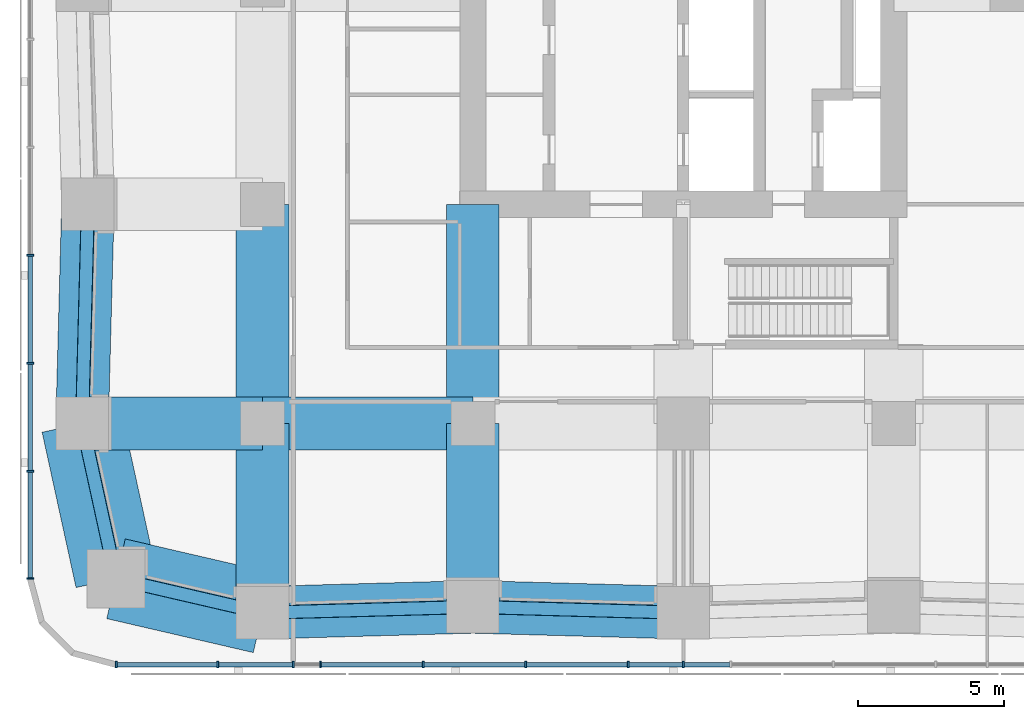
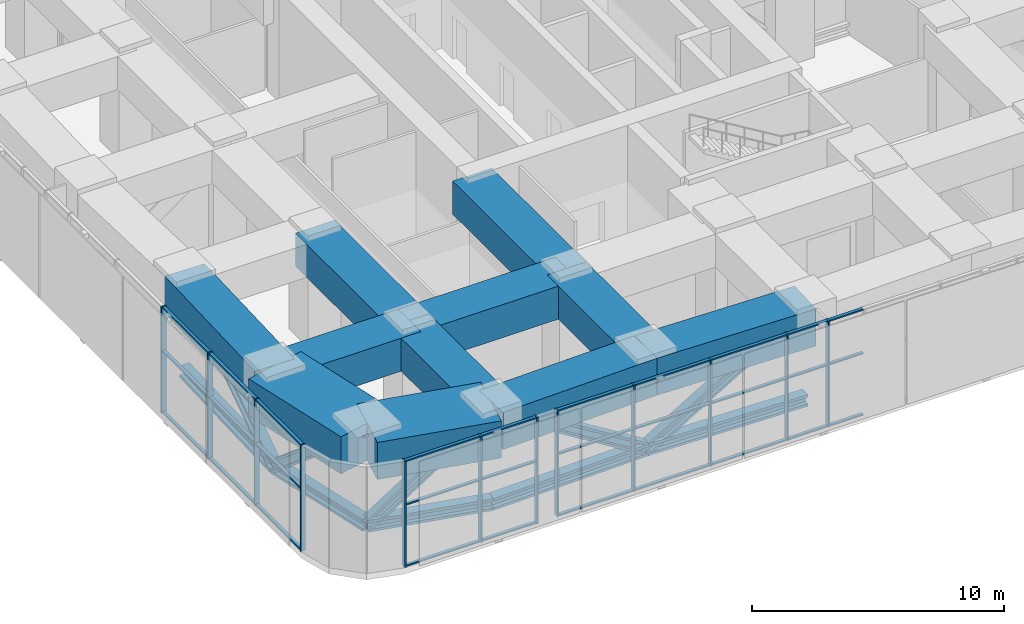
# One storey, part 2 of 17: 52 members, 11 beams, 2 elements without a shape of their own.
"""IFC4 building model written with IfcOpenShell, lengths in metres."""

from ifc_helpers import new_model, si_unit, direction, frame, origin, origin_2d, place, context, subcontext, project, spatial, rectangle, i_section, extrude, material, material_profile, profile_set, type_object, element, aggregate, save


model = new_model("IFC4")

# Units and contexts
model_context = context("Model", 3, precision=1e-05, world=origin(), true_north=direction((0.0, 1.0)))
body_context = subcontext(model_context, "Body", "Model", "MODEL_VIEW")
ifc_project = project(units=[si_unit("LENGTHUNIT", "METRE"), si_unit("AREAUNIT", "SQUARE_METRE"), si_unit("VOLUMEUNIT", "CUBIC_METRE"), si_unit("PLANEANGLEUNIT", "RADIAN"), si_unit("MASSUNIT", "GRAM", prefix="KILO")], contexts=[model_context])

# Site, building, storey
site_placement = place(None, origin())
site = spatial("IfcSite", under=ifc_project, at=site_placement, CompositionType="ELEMENT")
building_placement = place(site_placement, origin())
building = spatial("IfcBuilding", under=site, at=building_placement, Name="Sheger Commons Tower", CompositionType="ELEMENT")
storey_placement = place(building_placement, frame((0.0, 0.0, 188.300048828125)))
storey = spatial("IfcBuildingStorey", under=building, at=storey_placement, Name="L48", CompositionType="ELEMENT", Elevation=188.300048828125)

# Beams
ifc_material_1 = material(Name="Concrete C50/60", Category="concrete")
ifc_material_profile_1 = material_profile(ifc_material_1, rectangle(XDim=1.800048828125, YDim=1.60009765625, at=origin_2d()), Name="RC 1800x1600")
ifc_profile_set_1 = profile_set([ifc_material_profile_1], Name="Concrete C50/60")
beam_type_1 = type_object("IfcBeamType", Name="BEAM RC 1800x1600", PredefinedType="BEAM", material=ifc_profile_set_1)
beam_1_placement = place(storey_placement, frame((1.02490234375, 7.5, 4.349853515625), z_axis=(1.0, 0.0, 0.0), x_axis=(0.0, 1.0, 0.0)))
element("IfcBeam", 1, at=beam_1_placement, inside=storey, type_object=beam_type_1, Name="Beam 1/B-2/B under L49", PredefinedType="BEAM", context=body_context, shape_type="SweptSolid", body=[
    extrude(rectangle(XDim=1.800048828125, YDim=1.60009765625, at=origin_2d()), origin(), (0.0, 0.0, 1.0), 6.175048828125),
])
beam_2_placement = place(storey_placement, frame((7.199951171875, 7.5, 4.349853515625), z_axis=(1.0, 0.0, 0.0), x_axis=(0.0, 1.0, 0.0)))
element("IfcBeam", 2, at=beam_2_placement, inside=storey, type_object=beam_type_1, Name="Beam 2/B-3/B under L49", PredefinedType="BEAM", context=body_context, shape_type="SweptSolid", body=[
    extrude(rectangle(XDim=1.800048828125, YDim=1.60009765625, at=origin_2d()), origin(), (0.0, 0.0, 1.0), 7.199951171875),
])
beam_3_placement = place(storey_placement, frame((7.199951171875, 1.02490234375, 4.349853515625), z_axis=(0.0, 1.0, 0.0), x_axis=(-1.0, 0.0, 0.0)))
element("IfcBeam", 3, at=beam_3_placement, inside=storey, type_object=beam_type_1, Name="Beam 2/A-2/B under L49", PredefinedType="BEAM", context=body_context, shape_type="SweptSolid", body=[
    extrude(rectangle(XDim=1.800048828125, YDim=1.60009765625, at=origin_2d()), origin(), (0.0, 0.0, 1.0), 6.47509765625),
])
beam_4_placement = place(storey_placement, frame((7.199951171875, 7.5, 4.349853515625), z_axis=(0.0, 1.0, 0.0), x_axis=(-1.0, 0.0, 0.0)))
element("IfcBeam", 4, at=beam_4_placement, inside=storey, type_object=beam_type_1, Name="Beam 2/B-2/C under L49", PredefinedType="BEAM", context=body_context, shape_type="SweptSolid", body=[
    extrude(rectangle(XDim=1.800048828125, YDim=1.60009765625, at=origin_2d()), origin(), (0.0, 0.0, 1.0), 7.5),
])
beam_5_placement = place(storey_placement, frame((14.39990234375, 1.22509765625, 4.349853515625), z_axis=(0.0, 1.0, 0.0), x_axis=(-1.0, 0.0, 0.0)))
element("IfcBeam", 5, at=beam_5_placement, inside=storey, type_object=beam_type_1, Name="Beam 3/A-3/B under L49", PredefinedType="BEAM", context=body_context, shape_type="SweptSolid", body=[
    extrude(rectangle(XDim=1.800048828125, YDim=1.60009765625, at=origin_2d()), origin(), (0.0, 0.0, 1.0), 6.27490234375),
])
beam_6_placement = place(storey_placement, frame((14.39990234375, 7.5, 4.349853515625), z_axis=(0.0, 1.0, 0.0), x_axis=(-1.0, 0.0, 0.0)))
element("IfcBeam", 6, at=beam_6_placement, inside=storey, type_object=beam_type_1, Name="Beam 3/B-3/C under L49", PredefinedType="BEAM", context=body_context, shape_type="SweptSolid", body=[
    extrude(rectangle(XDim=1.800048828125, YDim=1.60009765625, at=origin_2d()), origin(), (0.0, 0.0, 1.0), 7.5),
])

# Members
ifc_material_2 = material(Name="Steel S460", Category="steel")
ifc_material_profile_2 = material_profile(ifc_material_2, i_section(OverallWidth=0.44189453125, OverallDepth=0.531005859375, WebThickness=0.06591796875, FlangeThickness=0.10595703125, at=origin_2d()), Name="HD 400x900")
ifc_profile_set_2 = profile_set([ifc_material_profile_2], Name="Steel S460")
member_type_1 = type_object("IfcMemberType", Name="BRACE HD 400x900", PredefinedType="BRACE", material=ifc_profile_set_2)
member_1_placement = place(storey_placement, frame((2.18603515625, 2.18603515625, 0.300048828125), z_axis=(0.729894115003, -0.169030355502, 0.662331729425), x_axis=(0.225611239159, 0.974217413499, 0.0)))
element("IfcMember", 7, at=member_1_placement, inside=storey, type_object=member_type_1, Name="Belt truss diagonal 2.186,2.186-7.200,1.025", PredefinedType="BRACE", context=body_context, shape_type="SweptSolid", body=[
    extrude(i_section(OverallWidth=0.44189453125, OverallDepth=0.531005859375, WebThickness=0.06591796875, FlangeThickness=0.10595703125, at=origin_2d()), origin(), (0.0, 0.0, 1.0), 6.869384765625),
])
member_2_placement = place(storey_placement, frame((14.39990234375, 1.22509765625, 0.300048828125), z_axis=(-0.84512466508, -0.023498769976, 0.534052533262), x_axis=(0.027794350926, -0.9996136624, 0.0)))
element("IfcMember", 8, at=member_2_placement, inside=storey, type_object=member_type_1, Name="Belt truss diagonal 7.200,1.025-14.400,1.225", PredefinedType="BRACE", context=body_context, shape_type="SweptSolid", body=[
    extrude(i_section(OverallWidth=0.44189453125, OverallDepth=0.531005859375, WebThickness=0.06591796875, FlangeThickness=0.10595703125, at=origin_2d()), origin(), (0.0, 0.0, 1.0), 8.519287109375),
])
member_3_placement = place(storey_placement, frame((14.39990234375, 1.22509765625, 0.300048828125), z_axis=(0.84513285394, -0.023498200876, 0.534039599418), x_axis=(0.027793409217, 0.999613688584, 0.0)))
element("IfcMember", 9, at=member_3_placement, inside=storey, type_object=member_type_1, Name="Belt truss diagonal 14.400,1.225-21.600,1.025", PredefinedType="BRACE", context=body_context, shape_type="SweptSolid", body=[
    extrude(i_section(OverallWidth=0.44189453125, OverallDepth=0.531005859375, WebThickness=0.06591796875, FlangeThickness=0.10595703125, at=origin_2d()), origin(), (0.0, 0.0, 1.0), 8.51953125),
])
member_4_placement = place(storey_placement, frame((1.02490234375, 7.5, 0.300048828125), z_axis=(0.022815736149, 0.854755383521, 0.518529340081), x_axis=(-0.999643939919, 0.026683204125, 0.0)))
element("IfcMember", 10, at=member_4_placement, inside=storey, type_object=member_type_1, Name="Belt truss diagonal 1+1225/C-1+1025/B", PredefinedType="BRACE", context=body_context, shape_type="SweptSolid", body=[
    extrude(i_section(OverallWidth=0.44189453125, OverallDepth=0.531005859375, WebThickness=0.06591796875, FlangeThickness=0.10595703125, at=origin_2d()), origin(), (0.0, 0.0, 1.0), 8.7744140625),
])
member_5_placement = place(storey_placement, frame((1.02490234375, 7.5, 0.300048828125), z_axis=(0.16373943252, -0.74935922797, 0.641599677131), x_axis=(0.976949769283, 0.213469314652, 0.0)))
element("IfcMember", 11, at=member_5_placement, inside=storey, type_object=member_type_1, Name="Belt truss diagonal 1+1025/B-2.186,2.186", PredefinedType="BRACE", context=body_context, shape_type="SweptSolid", body=[
    extrude(i_section(OverallWidth=0.44189453125, OverallDepth=0.531005859375, WebThickness=0.06591796875, FlangeThickness=0.10595703125, at=origin_2d()), origin(), (0.0, 0.0, 1.0), 7.09130859375),
])
ifc_material_3 = material(Name="Steel S460", Category="steel")
ifc_material_profile_3 = material_profile(ifc_material_3, i_section(OverallWidth=0.4541015625, OverallDepth=0.569091796875, WebThickness=0.077880859375, FlangeThickness=0.125, at=origin_2d()), Name="HD 400x1086")
ifc_profile_set_3 = profile_set([ifc_material_profile_3], Name="Steel S460")
member_type_2 = type_object("IfcMemberType", Name="CHORD HD 400x1086", PredefinedType="CHORD", material=ifc_profile_set_3)
member_6_placement = place(storey_placement, frame((2.18603515625, 2.18603515625, 0.300048828125), z_axis=(0.974217413499, -0.225611239159, 0.0), x_axis=(0.225611239159, 0.974217413499, 0.0)))
element("IfcMember", 12, at=member_6_placement, inside=storey, type_object=member_type_2, Name="Belt truss bottom chord 2.186,2.186-7.200,1.025", PredefinedType="CHORD", context=body_context, shape_type="SweptSolid", body=[
    extrude(i_section(OverallWidth=0.4541015625, OverallDepth=0.569091796875, WebThickness=0.077880859375, FlangeThickness=0.125, at=origin_2d()), origin(), (0.0, 0.0, 1.0), 5.146728515625),
])
member_7_placement = place(storey_placement, frame((7.199951171875, 1.02490234375, 0.300048828125), z_axis=(0.9996136624, 0.027794350926, 0.0), x_axis=(-0.027794350926, 0.9996136624, 0.0)))
element("IfcMember", 13, at=member_7_placement, inside=storey, type_object=member_type_2, Name="Belt truss bottom chord 7.200,1.025-14.400,1.225", PredefinedType="CHORD", context=body_context, shape_type="SweptSolid", body=[
    extrude(i_section(OverallWidth=0.4541015625, OverallDepth=0.569091796875, WebThickness=0.077880859375, FlangeThickness=0.125, at=origin_2d()), origin(), (0.0, 0.0, 1.0), 7.20263671875),
])
member_8_placement = place(storey_placement, frame((14.39990234375, 1.22509765625, 0.300048828125), z_axis=(0.999613688584, -0.027793409217, 0.0), x_axis=(0.027793409217, 0.999613688584, 0.0)))
element("IfcMember", 14, at=member_8_placement, inside=storey, type_object=member_type_2, Name="Belt truss bottom chord 14.400,1.225-21.600,1.025", PredefinedType="CHORD", context=body_context, shape_type="SweptSolid", body=[
    extrude(i_section(OverallWidth=0.4541015625, OverallDepth=0.569091796875, WebThickness=0.077880859375, FlangeThickness=0.125, at=origin_2d()), origin(), (0.0, 0.0, 1.0), 7.202880859375),
])
member_9_placement = place(storey_placement, frame((1.22509765625, 15.0, 0.300048828125), z_axis=(-0.026683204125, -0.999643939919, 0.0), x_axis=(0.999643939919, -0.026683204125, 0.0)))
element("IfcMember", 15, at=member_9_placement, inside=storey, type_object=member_type_2, Name="Belt truss bottom chord 1+1225/C-1+1025/B", PredefinedType="CHORD", context=body_context, shape_type="SweptSolid", body=[
    extrude(i_section(OverallWidth=0.4541015625, OverallDepth=0.569091796875, WebThickness=0.077880859375, FlangeThickness=0.125, at=origin_2d()), origin(), (0.0, 0.0, 1.0), 7.502685546875),
])
member_10_placement = place(storey_placement, frame((1.02490234375, 7.5, 0.300048828125), z_axis=(0.213469314652, -0.976949769283, 0.0), x_axis=(0.976949769283, 0.213469314652, 0.0)))
element("IfcMember", 16, at=member_10_placement, inside=storey, type_object=member_type_2, Name="Belt truss bottom chord 1+1025/B-2.186,2.186", PredefinedType="CHORD", context=body_context, shape_type="SweptSolid", body=[
    extrude(i_section(OverallWidth=0.4541015625, OverallDepth=0.569091796875, WebThickness=0.077880859375, FlangeThickness=0.125, at=origin_2d()), origin(), (0.0, 0.0, 1.0), 5.439453125),
])

# Curtain wall, members
ifc_material_4 = material(Name="Black aluminium curtain wall, dark tinted glazing", Category="aluminium")
curtain_wall_type = type_object("IfcCurtainWallType", Name="CURTAIN WALL CW3 SKY FLOOR", PredefinedType="USERDEFINED", material=ifc_material_4)
curtain_wall_1_placement = place(storey_placement, origin())
curtain_wall_1 = element("IfcCurtainWall", 17, at=curtain_wall_1_placement, inside=storey, type_object=curtain_wall_type, Name="Curtain Wall Cw3 Sky Floor S1 L48", ObjectType="UNITISED CURTAIN WALL", PredefinedType="USERDEFINED")
ifc_material_5 = material(Name="Black anodised aluminium", Category="aluminium")
ifc_material_profile_4 = material_profile(ifc_material_5, rectangle(XDim=0.22509765625, YDim=0.06494140625, at=origin_2d()), Name="AL 65x225")
ifc_profile_set_4 = profile_set([ifc_material_profile_4], Name="Black anodised aluminium")
member_type_3 = type_object("IfcMemberType", Name="MULLION AL 65x225", PredefinedType="MULLION", material=ifc_profile_set_4)
member_11_placement = place(storey_placement, frame((2.195556640625, -0.75, 0.0), z_axis=(0.0, 0.0, 1.0), x_axis=(0.0, 1.0, 0.0)))
member_11 = element("IfcMember", 18, at=member_11_placement, type_object=member_type_3, Name="CW3 mullion 1", PredefinedType="MULLION", context=body_context, shape_type="SweptSolid", body=[
    extrude(rectangle(XDim=0.22509765625, YDim=0.06494140625, at=origin_2d()), origin(), (0.0, 0.0, 1.0), 5.14990234375),
])
member_12_placement = place(storey_placement, frame((5.673095703125, -0.75, 0.0), z_axis=(0.0, 0.0, 1.0), x_axis=(0.0, 1.0, 0.0)))
member_12 = element("IfcMember", 19, at=member_12_placement, type_object=member_type_3, Name="CW3 mullion 2", PredefinedType="MULLION", context=body_context, shape_type="SweptSolid", body=[
    extrude(rectangle(XDim=0.22509765625, YDim=0.06494140625, at=origin_2d()), origin(), (0.0, 0.0, 1.0), 5.14990234375),
])
member_13_placement = place(storey_placement, frame((8.25, -0.75, 0.0), z_axis=(0.0, 0.0, 1.0), x_axis=(0.0, 1.0, 0.0)))
member_13 = element("IfcMember", 20, at=member_13_placement, type_object=member_type_3, Name="CW3 mullion 3", PredefinedType="MULLION", context=body_context, shape_type="SweptSolid", body=[
    extrude(rectangle(XDim=0.22509765625, YDim=0.06494140625, at=origin_2d()), origin(), (0.0, 0.0, 1.0), 5.14990234375),
])
member_14_placement = place(storey_placement, frame((9.18310546875, -0.75, 0.0), z_axis=(0.0, 0.0, 1.0), x_axis=(0.0, 1.0, 0.0)))
member_14 = element("IfcMember", 21, at=member_14_placement, type_object=member_type_3, Name="CW3 mullion 4", PredefinedType="MULLION", context=body_context, shape_type="SweptSolid", body=[
    extrude(rectangle(XDim=0.22509765625, YDim=0.06494140625, at=origin_2d()), origin(), (0.0, 0.0, 1.0), 5.14990234375),
])
member_15_placement = place(storey_placement, frame((12.693115234375, -0.75, 0.0), z_axis=(0.0, 0.0, 1.0), x_axis=(0.0, 1.0, 0.0)))
member_15 = element("IfcMember", 22, at=member_15_placement, type_object=member_type_3, Name="CW3 mullion 5", PredefinedType="MULLION", context=body_context, shape_type="SweptSolid", body=[
    extrude(rectangle(XDim=0.22509765625, YDim=0.06494140625, at=origin_2d()), origin(), (0.0, 0.0, 1.0), 5.14990234375),
])
member_16_placement = place(storey_placement, frame((16.201904296875, -0.75, 0.0), z_axis=(0.0, 0.0, 1.0), x_axis=(0.0, 1.0, 0.0)))
member_16 = element("IfcMember", 23, at=member_16_placement, type_object=member_type_3, Name="CW3 mullion 6", PredefinedType="MULLION", context=body_context, shape_type="SweptSolid", body=[
    extrude(rectangle(XDim=0.22509765625, YDim=0.06494140625, at=origin_2d()), origin(), (0.0, 0.0, 1.0), 5.14990234375),
])
member_17_placement = place(storey_placement, frame((19.7119140625, -0.75, 0.0), z_axis=(0.0, 0.0, 1.0), x_axis=(0.0, 1.0, 0.0)))
member_17 = element("IfcMember", 24, at=member_17_placement, type_object=member_type_3, Name="CW3 mullion 7", PredefinedType="MULLION", context=body_context, shape_type="SweptSolid", body=[
    extrude(rectangle(XDim=0.22509765625, YDim=0.06494140625, at=origin_2d()), origin(), (0.0, 0.0, 1.0), 5.14990234375),
])
member_18_placement = place(storey_placement, frame((21.60009765625, -0.75, 0.0), z_axis=(0.0, 0.0, 1.0), x_axis=(0.0, 1.0, 0.0)))
member_18 = element("IfcMember", 25, at=member_18_placement, type_object=member_type_3, Name="CW3 mullion 8", PredefinedType="MULLION", context=body_context, shape_type="SweptSolid", body=[
    extrude(rectangle(XDim=0.22509765625, YDim=0.06494140625, at=origin_2d()), origin(), (0.0, 0.0, 1.0), 5.14990234375),
])

curtain_wall_2_placement = place(storey_placement, origin())
curtain_wall_2 = element("IfcCurtainWall", 26, at=curtain_wall_2_placement, inside=storey, type_object=curtain_wall_type, Name="Curtain Wall Cw3 Sky Floor W1 L48", ObjectType="UNITISED CURTAIN WALL", PredefinedType="USERDEFINED")
member_19_placement = place(storey_placement, frame((-0.75, 13.256103515625, 0.0), z_axis=(0.0, 0.0, 1.0), x_axis=(1.0, 0.0, 0.0)))
member_19 = element("IfcMember", 27, at=member_19_placement, type_object=member_type_3, Name="CW3 mullion 10", PredefinedType="MULLION", context=body_context, shape_type="SweptSolid", body=[
    extrude(rectangle(XDim=0.22509765625, YDim=0.06494140625, at=origin_2d()), origin(), (0.0, 0.0, 1.0), 5.14990234375),
])
member_20_placement = place(storey_placement, frame((-0.75, 9.55810546875, 0.0), z_axis=(0.0, 0.0, 1.0), x_axis=(1.0, 0.0, 0.0)))
member_20 = element("IfcMember", 28, at=member_20_placement, type_object=member_type_3, Name="CW3 mullion 11", PredefinedType="MULLION", context=body_context, shape_type="SweptSolid", body=[
    extrude(rectangle(XDim=0.22509765625, YDim=0.06494140625, at=origin_2d()), origin(), (0.0, 0.0, 1.0), 5.14990234375),
])
member_21_placement = place(storey_placement, frame((-0.75, 5.861083984375, 0.0), z_axis=(0.0, 0.0, 1.0), x_axis=(1.0, 0.0, 0.0)))
member_21 = element("IfcMember", 29, at=member_21_placement, type_object=member_type_3, Name="CW3 mullion 12", PredefinedType="MULLION", context=body_context, shape_type="SweptSolid", body=[
    extrude(rectangle(XDim=0.22509765625, YDim=0.06494140625, at=origin_2d()), origin(), (0.0, 0.0, 1.0), 5.14990234375),
])
member_22_placement = place(storey_placement, frame((-0.75, 2.195556640625, 0.0), z_axis=(0.0, 0.0, 1.0), x_axis=(1.0, 0.0, 0.0)))
member_22 = element("IfcMember", 30, at=member_22_placement, type_object=member_type_3, Name="CW3 mullion 13", PredefinedType="MULLION", context=body_context, shape_type="SweptSolid", body=[
    extrude(rectangle(XDim=0.22509765625, YDim=0.06494140625, at=origin_2d()), origin(), (0.0, 0.0, 1.0), 5.14990234375),
])

# Beams
ifc_material_6 = material(Name="Concrete C50/60", Category="concrete")
ifc_material_profile_5 = material_profile(ifc_material_6, rectangle(XDim=1.800048828125, YDim=1.800048828125, at=origin_2d()), Name="RC 1800x1800")
ifc_profile_set_5 = profile_set([ifc_material_profile_5], Name="Concrete C50/60")
beam_type_2 = type_object("IfcBeamType", Name="SPANDREL RC 1800x1800", PredefinedType="SPANDREL", material=ifc_profile_set_5)
beam_7_placement = place(storey_placement, frame((7.199951171875, 1.02490234375, 4.25), z_axis=(0.9996136624, 0.027794350926, 0.0), x_axis=(-0.027794350926, 0.9996136624, 0.0)))
element("IfcBeam", 31, at=beam_7_placement, inside=storey, type_object=beam_type_2, Name="Beam 2/A-3/A under L49", PredefinedType="SPANDREL", context=body_context, shape_type="SweptSolid", body=[
    extrude(rectangle(XDim=1.800048828125, YDim=1.800048828125, at=origin_2d()), origin(), (0.0, 0.0, 1.0), 7.20263671875),
])
beam_8_placement = place(storey_placement, frame((14.39990234375, 1.22509765625, 4.25), z_axis=(0.999613688584, -0.027793409217, 0.0), x_axis=(0.027793409217, 0.999613688584, 0.0)))
element("IfcBeam", 32, at=beam_8_placement, inside=storey, type_object=beam_type_2, Name="Beam 3/A-4/A under L49", PredefinedType="SPANDREL", context=body_context, shape_type="SweptSolid", body=[
    extrude(rectangle(XDim=1.800048828125, YDim=1.800048828125, at=origin_2d()), origin(), (0.0, 0.0, 1.0), 7.202880859375),
])
beam_9_placement = place(storey_placement, frame((1.22509765625, 15.0, 4.25), z_axis=(-0.026683204125, -0.999643939919, 0.0), x_axis=(0.999643939919, -0.026683204125, 0.0)))
element("IfcBeam", 33, at=beam_9_placement, inside=storey, type_object=beam_type_2, Name="Beam 1/C-1/B under L49", PredefinedType="SPANDREL", context=body_context, shape_type="SweptSolid", body=[
    extrude(rectangle(XDim=1.800048828125, YDim=1.800048828125, at=origin_2d()), origin(), (0.0, 0.0, 1.0), 7.502685546875),
])
ifc_material_7 = material(Name="Concrete C50/60", Category="concrete")
ifc_material_profile_6 = material_profile(ifc_material_7, rectangle(XDim=2.800048828125, YDim=1.800048828125, at=origin_2d()), Name="RC 2800x1800")
ifc_profile_set_6 = profile_set([ifc_material_profile_6], Name="Concrete C50/60")
beam_type_3 = type_object("IfcBeamType", Name="SPANDREL RC 2800x1800", PredefinedType="SPANDREL", material=ifc_profile_set_6)
beam_10_placement = place(storey_placement, frame((2.18603515625, 2.18603515625, 4.25), z_axis=(0.974217413499, -0.225611239159, 0.0), x_axis=(0.225611239159, 0.974217413499, 0.0)))
element("IfcBeam", 34, at=beam_10_placement, inside=storey, type_object=beam_type_3, Name="Beam 0.630,0.630-2/A under L49", PredefinedType="SPANDREL", context=body_context, shape_type="SweptSolid", body=[
    extrude(rectangle(XDim=2.800048828125, YDim=1.800048828125, at=origin_2d()), origin(), (0.0, 0.0, 1.0), 5.146728515625),
])
beam_11_placement = place(storey_placement, frame((1.02490234375, 7.5, 4.25), z_axis=(0.213469314652, -0.976949769283, 0.0), x_axis=(0.976949769283, 0.213469314652, 0.0)))
element("IfcBeam", 35, at=beam_11_placement, inside=storey, type_object=beam_type_3, Name="Beam 1/B-0.630,0.630 under L49", PredefinedType="SPANDREL", context=body_context, shape_type="SweptSolid", body=[
    extrude(rectangle(XDim=2.800048828125, YDim=1.800048828125, at=origin_2d()), origin(), (0.0, 0.0, 1.0), 5.439453125),
])

# Member
ifc_material_8 = material(Name="Black anodised aluminium", Category="aluminium")
ifc_material_profile_7 = material_profile(ifc_material_8, rectangle(XDim=0.14990234375, YDim=0.06494140625, at=origin_2d()), Name="AL 65x150")
ifc_profile_set_7 = profile_set([ifc_material_profile_7], Name="Black anodised aluminium")
member_type_4 = type_object("IfcMemberType", Name="TRANSOM AL 65x150", PredefinedType="USERDEFINED", material=ifc_profile_set_7)
member_23_placement = place(storey_placement, frame((2.22802734375, -0.75, 0.032470703125), z_axis=(1.0, 0.0, 0.0), x_axis=(0.0, 1.0, 0.0)))
member_23 = element("IfcMember", 36, at=member_23_placement, type_object=member_type_4, Name="CW3 transom 1.1", ObjectType="TRANSOM", PredefinedType="USERDEFINED", context=body_context, shape_type="SweptSolid", body=[
    extrude(rectangle(XDim=0.14990234375, YDim=0.06494140625, at=origin_2d()), origin(), (0.0, 0.0, 1.0), 3.412353515625),
])

member_24_placement = place(storey_placement, frame((2.22802734375, -0.75, 3.0), z_axis=(1.0, 0.0, 0.0), x_axis=(0.0, 1.0, 0.0)))
member_24 = element("IfcMember", 37, at=member_24_placement, type_object=member_type_4, Name="CW3 transom 1.2", ObjectType="TRANSOM", PredefinedType="USERDEFINED", context=body_context, shape_type="SweptSolid", body=[
    extrude(rectangle(XDim=0.14990234375, YDim=0.06494140625, at=origin_2d()), origin(), (0.0, 0.0, 1.0), 3.412353515625),
])

member_25_placement = place(storey_placement, frame((2.22802734375, -0.75, 5.117431640625), z_axis=(1.0, 0.0, 0.0), x_axis=(0.0, 1.0, 0.0)))
member_25 = element("IfcMember", 38, at=member_25_placement, type_object=member_type_4, Name="CW3 transom 1.3", ObjectType="TRANSOM", PredefinedType="USERDEFINED", context=body_context, shape_type="SweptSolid", body=[
    extrude(rectangle(XDim=0.14990234375, YDim=0.06494140625, at=origin_2d()), origin(), (0.0, 0.0, 1.0), 3.412353515625),
])

member_26_placement = place(storey_placement, frame((5.70556640625, -0.75, 0.032470703125), z_axis=(1.0, 0.0, 0.0), x_axis=(0.0, 1.0, 0.0)))
member_26 = element("IfcMember", 39, at=member_26_placement, type_object=member_type_4, Name="CW3 transom 2.1", ObjectType="TRANSOM", PredefinedType="USERDEFINED", context=body_context, shape_type="SweptSolid", body=[
    extrude(rectangle(XDim=0.14990234375, YDim=0.06494140625, at=origin_2d()), origin(), (0.0, 0.0, 1.0), 2.511962890625),
])

member_27_placement = place(storey_placement, frame((5.70556640625, -0.75, 3.0), z_axis=(1.0, 0.0, 0.0), x_axis=(0.0, 1.0, 0.0)))
member_27 = element("IfcMember", 40, at=member_27_placement, type_object=member_type_4, Name="CW3 transom 2.2", ObjectType="TRANSOM", PredefinedType="USERDEFINED", context=body_context, shape_type="SweptSolid", body=[
    extrude(rectangle(XDim=0.14990234375, YDim=0.06494140625, at=origin_2d()), origin(), (0.0, 0.0, 1.0), 2.511962890625),
])

member_28_placement = place(storey_placement, frame((5.70556640625, -0.75, 5.117431640625), z_axis=(1.0, 0.0, 0.0), x_axis=(0.0, 1.0, 0.0)))
member_28 = element("IfcMember", 41, at=member_28_placement, type_object=member_type_4, Name="CW3 transom 2.3", ObjectType="TRANSOM", PredefinedType="USERDEFINED", context=body_context, shape_type="SweptSolid", body=[
    extrude(rectangle(XDim=0.14990234375, YDim=0.06494140625, at=origin_2d()), origin(), (0.0, 0.0, 1.0), 2.511962890625),
])

member_29_placement = place(storey_placement, frame((9.215576171875, -0.75, 0.032470703125), z_axis=(1.0, 0.0, 0.0), x_axis=(0.0, 1.0, 0.0)))
member_29 = element("IfcMember", 42, at=member_29_placement, type_object=member_type_4, Name="CW3 transom 4.1", ObjectType="TRANSOM", PredefinedType="USERDEFINED", context=body_context, shape_type="SweptSolid", body=[
    extrude(rectangle(XDim=0.14990234375, YDim=0.06494140625, at=origin_2d()), origin(), (0.0, 0.0, 1.0), 3.44482421875),
])

member_30_placement = place(storey_placement, frame((9.215576171875, -0.75, 3.0), z_axis=(1.0, 0.0, 0.0), x_axis=(0.0, 1.0, 0.0)))
member_30 = element("IfcMember", 43, at=member_30_placement, type_object=member_type_4, Name="CW3 transom 4.2", ObjectType="TRANSOM", PredefinedType="USERDEFINED", context=body_context, shape_type="SweptSolid", body=[
    extrude(rectangle(XDim=0.14990234375, YDim=0.06494140625, at=origin_2d()), origin(), (0.0, 0.0, 1.0), 3.44482421875),
])

member_31_placement = place(storey_placement, frame((9.215576171875, -0.75, 5.117431640625), z_axis=(1.0, 0.0, 0.0), x_axis=(0.0, 1.0, 0.0)))
member_31 = element("IfcMember", 44, at=member_31_placement, type_object=member_type_4, Name="CW3 transom 4.3", ObjectType="TRANSOM", PredefinedType="USERDEFINED", context=body_context, shape_type="SweptSolid", body=[
    extrude(rectangle(XDim=0.14990234375, YDim=0.06494140625, at=origin_2d()), origin(), (0.0, 0.0, 1.0), 3.44482421875),
])

member_32_placement = place(storey_placement, frame((12.7255859375, -0.75, 0.032470703125), z_axis=(1.0, 0.0, 0.0), x_axis=(0.0, 1.0, 0.0)))
member_32 = element("IfcMember", 45, at=member_32_placement, type_object=member_type_4, Name="CW3 transom 5.1", ObjectType="TRANSOM", PredefinedType="USERDEFINED", context=body_context, shape_type="SweptSolid", body=[
    extrude(rectangle(XDim=0.14990234375, YDim=0.06494140625, at=origin_2d()), origin(), (0.0, 0.0, 1.0), 3.44384765625),
])

member_33_placement = place(storey_placement, frame((12.7255859375, -0.75, 3.0), z_axis=(1.0, 0.0, 0.0), x_axis=(0.0, 1.0, 0.0)))
member_33 = element("IfcMember", 46, at=member_33_placement, type_object=member_type_4, Name="CW3 transom 5.2", ObjectType="TRANSOM", PredefinedType="USERDEFINED", context=body_context, shape_type="SweptSolid", body=[
    extrude(rectangle(XDim=0.14990234375, YDim=0.06494140625, at=origin_2d()), origin(), (0.0, 0.0, 1.0), 3.44384765625),
])

member_34_placement = place(storey_placement, frame((12.7255859375, -0.75, 5.117431640625), z_axis=(1.0, 0.0, 0.0), x_axis=(0.0, 1.0, 0.0)))
member_34 = element("IfcMember", 47, at=member_34_placement, type_object=member_type_4, Name="CW3 transom 5.3", ObjectType="TRANSOM", PredefinedType="USERDEFINED", context=body_context, shape_type="SweptSolid", body=[
    extrude(rectangle(XDim=0.14990234375, YDim=0.06494140625, at=origin_2d()), origin(), (0.0, 0.0, 1.0), 3.44384765625),
])

member_35_placement = place(storey_placement, frame((16.234619140625, -0.75, 0.032470703125), z_axis=(1.0, 0.0, 0.0), x_axis=(0.0, 1.0, 0.0)))
member_35 = element("IfcMember", 48, at=member_35_placement, type_object=member_type_4, Name="CW3 transom 6.1", ObjectType="TRANSOM", PredefinedType="USERDEFINED", context=body_context, shape_type="SweptSolid", body=[
    extrude(rectangle(XDim=0.14990234375, YDim=0.06494140625, at=origin_2d()), origin(), (0.0, 0.0, 1.0), 3.44482421875),
])

member_36_placement = place(storey_placement, frame((16.234619140625, -0.75, 3.0), z_axis=(1.0, 0.0, 0.0), x_axis=(0.0, 1.0, 0.0)))
member_36 = element("IfcMember", 49, at=member_36_placement, type_object=member_type_4, Name="CW3 transom 6.2", ObjectType="TRANSOM", PredefinedType="USERDEFINED", context=body_context, shape_type="SweptSolid", body=[
    extrude(rectangle(XDim=0.14990234375, YDim=0.06494140625, at=origin_2d()), origin(), (0.0, 0.0, 1.0), 3.44482421875),
])

member_37_placement = place(storey_placement, frame((16.234619140625, -0.75, 5.117431640625), z_axis=(1.0, 0.0, 0.0), x_axis=(0.0, 1.0, 0.0)))
member_37 = element("IfcMember", 50, at=member_37_placement, type_object=member_type_4, Name="CW3 transom 6.3", ObjectType="TRANSOM", PredefinedType="USERDEFINED", context=body_context, shape_type="SweptSolid", body=[
    extrude(rectangle(XDim=0.14990234375, YDim=0.06494140625, at=origin_2d()), origin(), (0.0, 0.0, 1.0), 3.44482421875),
])

member_38_placement = place(storey_placement, frame((19.744384765625, -0.75, 0.032470703125), z_axis=(1.0, 0.0, 0.0), x_axis=(0.0, 1.0, 0.0)))
member_38 = element("IfcMember", 51, at=member_38_placement, type_object=member_type_4, Name="CW3 transom 7.1", ObjectType="TRANSOM", PredefinedType="USERDEFINED", context=body_context, shape_type="SweptSolid", body=[
    extrude(rectangle(XDim=0.14990234375, YDim=0.06494140625, at=origin_2d()), origin(), (0.0, 0.0, 1.0), 1.822998046875),
])

member_39_placement = place(storey_placement, frame((19.744384765625, -0.75, 3.0), z_axis=(1.0, 0.0, 0.0), x_axis=(0.0, 1.0, 0.0)))
member_39 = element("IfcMember", 52, at=member_39_placement, type_object=member_type_4, Name="CW3 transom 7.2", ObjectType="TRANSOM", PredefinedType="USERDEFINED", context=body_context, shape_type="SweptSolid", body=[
    extrude(rectangle(XDim=0.14990234375, YDim=0.06494140625, at=origin_2d()), origin(), (0.0, 0.0, 1.0), 1.822998046875),
])

member_40_placement = place(storey_placement, frame((19.744384765625, -0.75, 5.117431640625), z_axis=(1.0, 0.0, 0.0), x_axis=(0.0, 1.0, 0.0)))
member_40 = element("IfcMember", 53, at=member_40_placement, type_object=member_type_4, Name="CW3 transom 7.3", ObjectType="TRANSOM", PredefinedType="USERDEFINED", context=body_context, shape_type="SweptSolid", body=[
    extrude(rectangle(XDim=0.14990234375, YDim=0.06494140625, at=origin_2d()), origin(), (0.0, 0.0, 1.0), 1.822998046875),
])

member_41_placement = place(storey_placement, frame((21.632568359375, -0.75, 0.032470703125), z_axis=(1.0, 0.0, 0.0), x_axis=(0.0, 1.0, 0.0)))
member_41 = element("IfcMember", 54, at=member_41_placement, type_object=member_type_4, Name="CW3 transom 8.1", ObjectType="TRANSOM", PredefinedType="USERDEFINED", context=body_context, shape_type="SweptSolid", body=[
    extrude(rectangle(XDim=0.14990234375, YDim=0.06494140625, at=origin_2d()), origin(), (0.0, 0.0, 1.0), 1.556884765625),
])

member_42_placement = place(storey_placement, frame((21.632568359375, -0.75, 3.0), z_axis=(1.0, 0.0, 0.0), x_axis=(0.0, 1.0, 0.0)))
member_42 = element("IfcMember", 55, at=member_42_placement, type_object=member_type_4, Name="CW3 transom 8.2", ObjectType="TRANSOM", PredefinedType="USERDEFINED", context=body_context, shape_type="SweptSolid", body=[
    extrude(rectangle(XDim=0.14990234375, YDim=0.06494140625, at=origin_2d()), origin(), (0.0, 0.0, 1.0), 1.556884765625),
])

member_43_placement = place(storey_placement, frame((21.632568359375, -0.75, 5.117431640625), z_axis=(1.0, 0.0, 0.0), x_axis=(0.0, 1.0, 0.0)))
member_43 = element("IfcMember", 56, at=member_43_placement, type_object=member_type_4, Name="CW3 transom 8.3", ObjectType="TRANSOM", PredefinedType="USERDEFINED", context=body_context, shape_type="SweptSolid", body=[
    extrude(rectangle(XDim=0.14990234375, YDim=0.06494140625, at=origin_2d()), origin(), (0.0, 0.0, 1.0), 1.556884765625),
])

aggregate(curtain_wall_1, [member_11, member_12, member_13, member_14, member_15, member_16, member_17, member_18, member_23, member_24, member_25, member_26, member_27, member_28, member_29, member_30, member_31, member_32, member_33, member_34, member_35, member_36, member_37, member_38, member_39, member_40, member_41, member_42, member_43])

member_44_placement = place(storey_placement, frame((-0.75, 13.223388671875, 0.032470703125), z_axis=(0.0, -1.0, 0.0), x_axis=(1.0, 0.0, 0.0)))
member_44 = element("IfcMember", 57, at=member_44_placement, type_object=member_type_4, Name="CW3 transom 10.1", ObjectType="TRANSOM", PredefinedType="USERDEFINED", context=body_context, shape_type="SweptSolid", body=[
    extrude(rectangle(XDim=0.14990234375, YDim=0.06494140625, at=origin_2d()), origin(), (0.0, 0.0, 1.0), 3.6328125),
])

member_45_placement = place(storey_placement, frame((-0.75, 13.223388671875, 3.0), z_axis=(0.0, -1.0, 0.0), x_axis=(1.0, 0.0, 0.0)))
member_45 = element("IfcMember", 58, at=member_45_placement, type_object=member_type_4, Name="CW3 transom 10.2", ObjectType="TRANSOM", PredefinedType="USERDEFINED", context=body_context, shape_type="SweptSolid", body=[
    extrude(rectangle(XDim=0.14990234375, YDim=0.06494140625, at=origin_2d()), origin(), (0.0, 0.0, 1.0), 3.6328125),
])

member_46_placement = place(storey_placement, frame((-0.75, 13.223388671875, 5.117431640625), z_axis=(0.0, -1.0, 0.0), x_axis=(1.0, 0.0, 0.0)))
member_46 = element("IfcMember", 59, at=member_46_placement, type_object=member_type_4, Name="CW3 transom 10.3", ObjectType="TRANSOM", PredefinedType="USERDEFINED", context=body_context, shape_type="SweptSolid", body=[
    extrude(rectangle(XDim=0.14990234375, YDim=0.06494140625, at=origin_2d()), origin(), (0.0, 0.0, 1.0), 3.6328125),
])

member_47_placement = place(storey_placement, frame((-0.75, 9.525390625, 0.032470703125), z_axis=(0.0, -1.0, 0.0), x_axis=(1.0, 0.0, 0.0)))
member_47 = element("IfcMember", 60, at=member_47_placement, type_object=member_type_4, Name="CW3 transom 11.1", ObjectType="TRANSOM", PredefinedType="USERDEFINED", context=body_context, shape_type="SweptSolid", body=[
    extrude(rectangle(XDim=0.14990234375, YDim=0.06494140625, at=origin_2d()), origin(), (0.0, 0.0, 1.0), 3.6318359375),
])

member_48_placement = place(storey_placement, frame((-0.75, 9.525390625, 3.0), z_axis=(0.0, -1.0, 0.0), x_axis=(1.0, 0.0, 0.0)))
member_48 = element("IfcMember", 61, at=member_48_placement, type_object=member_type_4, Name="CW3 transom 11.2", ObjectType="TRANSOM", PredefinedType="USERDEFINED", context=body_context, shape_type="SweptSolid", body=[
    extrude(rectangle(XDim=0.14990234375, YDim=0.06494140625, at=origin_2d()), origin(), (0.0, 0.0, 1.0), 3.6318359375),
])

member_49_placement = place(storey_placement, frame((-0.75, 9.525390625, 5.117431640625), z_axis=(0.0, -1.0, 0.0), x_axis=(1.0, 0.0, 0.0)))
member_49 = element("IfcMember", 62, at=member_49_placement, type_object=member_type_4, Name="CW3 transom 11.3", ObjectType="TRANSOM", PredefinedType="USERDEFINED", context=body_context, shape_type="SweptSolid", body=[
    extrude(rectangle(XDim=0.14990234375, YDim=0.06494140625, at=origin_2d()), origin(), (0.0, 0.0, 1.0), 3.6318359375),
])

member_50_placement = place(storey_placement, frame((-0.75, 5.82861328125, 0.032470703125), z_axis=(0.0, -1.0, 0.0), x_axis=(1.0, 0.0, 0.0)))
member_50 = element("IfcMember", 63, at=member_50_placement, type_object=member_type_4, Name="CW3 transom 12.1", ObjectType="TRANSOM", PredefinedType="USERDEFINED", context=body_context, shape_type="SweptSolid", body=[
    extrude(rectangle(XDim=0.14990234375, YDim=0.06494140625, at=origin_2d()), origin(), (0.0, 0.0, 1.0), 3.6005859375),
])

member_51_placement = place(storey_placement, frame((-0.75, 5.82861328125, 3.0), z_axis=(0.0, -1.0, 0.0), x_axis=(1.0, 0.0, 0.0)))
member_51 = element("IfcMember", 64, at=member_51_placement, type_object=member_type_4, Name="CW3 transom 12.2", ObjectType="TRANSOM", PredefinedType="USERDEFINED", context=body_context, shape_type="SweptSolid", body=[
    extrude(rectangle(XDim=0.14990234375, YDim=0.06494140625, at=origin_2d()), origin(), (0.0, 0.0, 1.0), 3.6005859375),
])

member_52_placement = place(storey_placement, frame((-0.75, 5.82861328125, 5.117431640625), z_axis=(0.0, -1.0, 0.0), x_axis=(1.0, 0.0, 0.0)))
member_52 = element("IfcMember", 65, at=member_52_placement, type_object=member_type_4, Name="CW3 transom 12.3", ObjectType="TRANSOM", PredefinedType="USERDEFINED", context=body_context, shape_type="SweptSolid", body=[
    extrude(rectangle(XDim=0.14990234375, YDim=0.06494140625, at=origin_2d()), origin(), (0.0, 0.0, 1.0), 3.6005859375),
])

aggregate(curtain_wall_2, [member_19, member_20, member_21, member_22, member_44, member_45, member_46, member_47, member_48, member_49, member_50, member_51, member_52])

save(model, "model.ifc")
